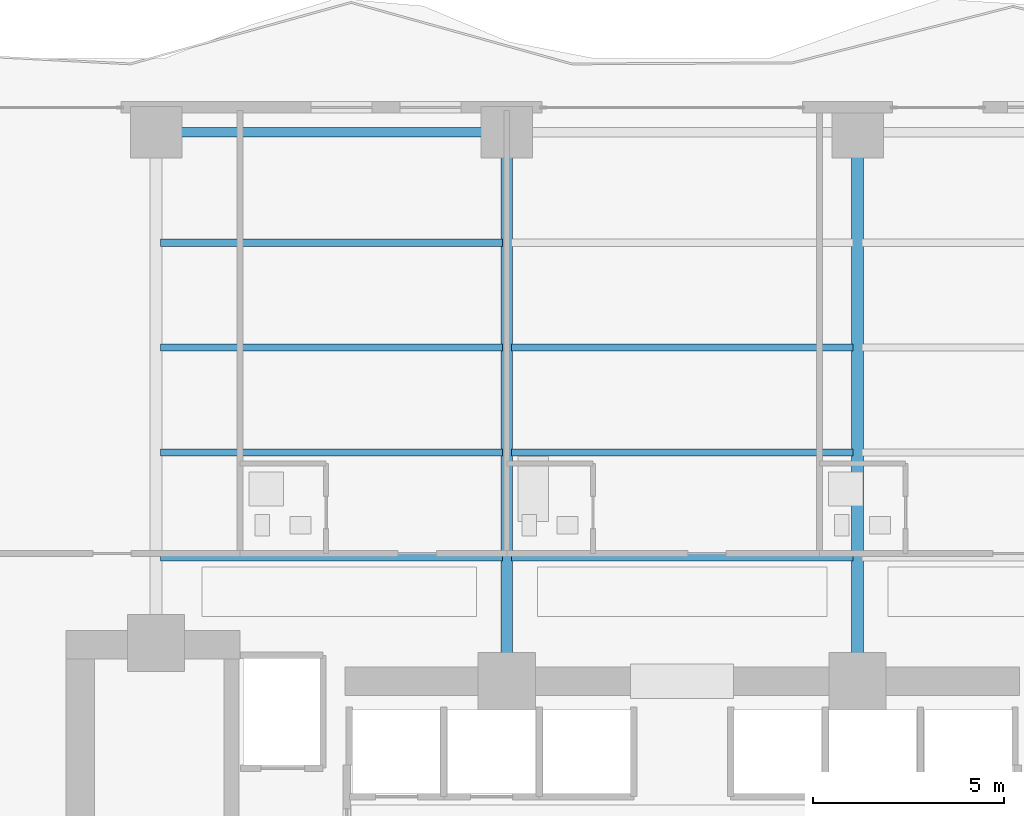
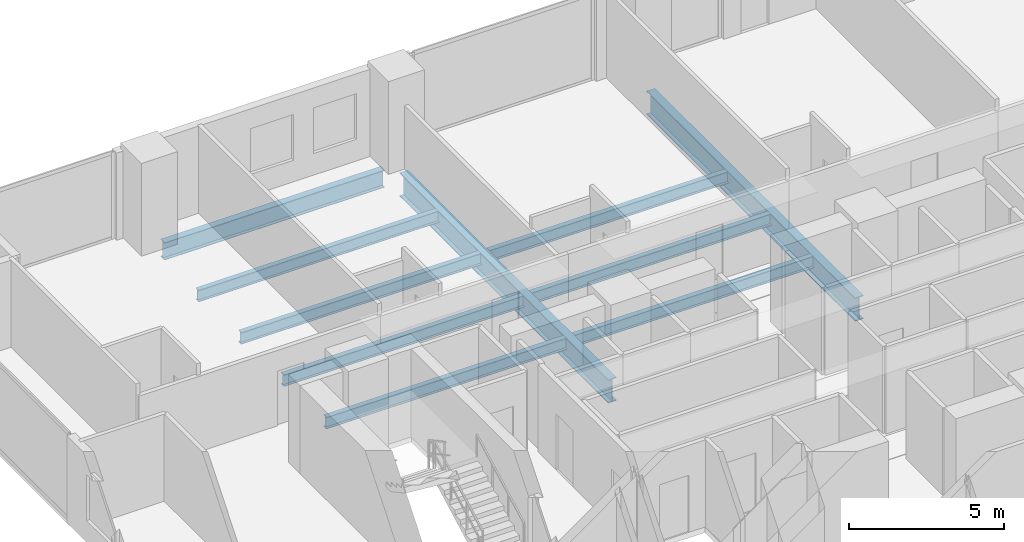
# One storey, part 15 of 28: 10 beams.
"""IFC4 building model written with IfcOpenShell, lengths in metres."""

from ifc_helpers import new_model, si_unit, direction, frame, origin, origin_2d, place, context, subcontext, project, spatial, i_section, extrude, material, material_profile, profile_set, type_object, element, save


model = new_model("IFC4")

# Units and contexts
model_context = context("Model", 3, precision=1e-05, world=origin(), true_north=direction((0.0, 1.0)))
body_context = subcontext(model_context, "Body", "Model", "MODEL_VIEW")
ifc_project = project(units=[si_unit("LENGTHUNIT", "METRE"), si_unit("AREAUNIT", "SQUARE_METRE"), si_unit("VOLUMEUNIT", "CUBIC_METRE"), si_unit("PLANEANGLEUNIT", "RADIAN"), si_unit("MASSUNIT", "GRAM", prefix="KILO")], contexts=[model_context])

# Site, building, storey
site_placement = place(None, origin())
site = spatial("IfcSite", under=ifc_project, at=site_placement, CompositionType="ELEMENT")
building_placement = place(site_placement, origin())
building = spatial("IfcBuilding", under=site, at=building_placement, Name="Zuhayl Quay Hotel", CompositionType="ELEMENT")
storey_placement = place(building_placement, frame((0.0, 0.0, 121.199951171875)))
storey = spatial("IfcBuildingStorey", under=building, at=storey_placement, Name="L30", CompositionType="ELEMENT", Elevation=121.199951171875)

# Beams
ifc_material = material(Name="Steel ASTM A992 Grade 50", Category="steel")
ifc_material_profile_1 = material_profile(ifc_material, i_section(OverallWidth=0.25390625, OverallDepth=0.68310546875, WebThickness=0.012451171875, FlangeThickness=0.018798828125, at=origin_2d()), Name="W27X94")
ifc_profile_set_1 = profile_set([ifc_material_profile_1], Name="Steel ASTM A992 Grade 50")
beam_type_1 = type_object("IfcBeamType", Name="BM_B2_W27X94", PredefinedType="BEAM", material=ifc_profile_set_1)
beam_placement = place(storey_placement, frame((-5.10009765625, 27.75, -0.5615234375), z_axis=(-1.0, 0.0, 0.0), x_axis=(0.0, -1.0, 0.0)))
element("IfcBeam", 1, at=beam_placement, inside=storey, type_object=beam_type_1, Name="L30 Floor Beam RG_L30_09", PredefinedType="BEAM", context=body_context, shape_type="SweptSolid", body=[
    extrude(i_section(OverallWidth=0.25390625, OverallDepth=0.68310546875, WebThickness=0.012451171875, FlangeThickness=0.018798828125, at=origin_2d()), origin(), (0.0, 0.0, 1.0), 8.199951171875),
])
ifc_material_profile_2 = material_profile(ifc_material, i_section(OverallWidth=0.18994140625, OverallDepth=0.45703125, WebThickness=0.009033203125, FlangeThickness=0.014404296875, at=origin_2d()), Name="W18X50")
ifc_profile_set_2 = profile_set([ifc_material_profile_2], Name="Steel ASTM A992 Grade 50")
beam_type_2 = type_object("IfcBeamType", Name="BM_J2_W18X50", PredefinedType="JOIST", material=ifc_profile_set_2)
for number, where, z_axis, x_axis, name in (
    (2, (-13.680908203125, 16.60009765625, -0.448486328125), (1.0, 0.0, 0.0), (0.0, 1.0, 0.0), "L30 Floor Beam FJ_L30_1_1"),
    (3, (-4.48095703125, 16.60009765625, -0.448486328125), (1.0, 0.0, 0.0), (0.0, 1.0, 0.0), "L30 Floor Beam FJ_L30_1_2"),
    (4, (-13.680908203125, 19.35009765625, -0.448486328125), (1.0, 0.0, 0.0), (0.0, 1.0, 0.0), "L30 Floor Beam FJ_L30_2_1"),
    (5, (-4.48095703125, 19.35009765625, -0.448486328125), (1.0, 0.0, 0.0), (0.0, 1.0, 0.0), "L30 Floor Beam FJ_L30_2_2"),
    (6, (-13.680908203125, 22.10009765625, -0.448486328125), (1.0, 0.0, 0.0), (0.0, 1.0, 0.0), "L30 Floor Beam FJ_L30_3_1"),
    (7, (-4.48095703125, 22.10009765625, -0.448486328125), (1.0, 0.0, 0.0), (0.0, 1.0, 0.0), "L30 Floor Beam FJ_L30_3_2"),
    (8, (-13.680908203125, 24.85009765625, -0.448486328125), (1.0, 0.0, 0.0), (0.0, 1.0, 0.0), "L30 Floor Beam FJ_L30_4_1"),
):
    element("IfcBeam", number, at=place(storey_placement, frame(where, z_axis=z_axis, x_axis=x_axis)), inside=storey, type_object=beam_type_2, Name=name, PredefinedType="JOIST", context=body_context, shape_type="SweptSolid", body=[
        extrude(i_section(OverallWidth=0.18994140625, OverallDepth=0.45703125, WebThickness=0.009033203125, FlangeThickness=0.014404296875, at=origin_2d()), origin(), (0.0, 0.0, 1.0), 8.9619140625),
    ])
ifc_material_profile_3 = material_profile(ifc_material, i_section(OverallWidth=0.306884765625, OverallDepth=0.927001953125, WebThickness=0.019287109375, FlangeThickness=0.031982421875, at=origin_2d()), Name="W36X194")
ifc_profile_set_3 = profile_set([ifc_material_profile_3], Name="Steel ASTM A992 Grade 50")
beam_type_3 = type_object("IfcBeamType", Name="BM_PG2_W36X194", PredefinedType="BEAM", material=ifc_profile_set_3)
for number, where, z_axis, x_axis, name in (
    (9, (-4.60009765625, 13.800048828125, -0.683349609375), (0.0, 1.0, 0.0), (-1.0, 0.0, 0.0), "L30 Floor Beam FG_N_L30_2"),
    (10, (4.60009765625, 13.800048828125, -0.683349609375), (0.0, 1.0, 0.0), (-1.0, 0.0, 0.0), "L30 Floor Beam FG_N_L30_3"),
):
    element("IfcBeam", number, at=place(storey_placement, frame(where, z_axis=z_axis, x_axis=x_axis)), inside=storey, type_object=beam_type_3, Name=name, PredefinedType="BEAM", context=body_context, shape_type="SweptSolid", body=[
        extrude(i_section(OverallWidth=0.306884765625, OverallDepth=0.927001953125, WebThickness=0.019287109375, FlangeThickness=0.031982421875, at=origin_2d()), origin(), (0.0, 0.0, 1.0), 13.449951171875),
    ])

save(model, "model.ifc")
